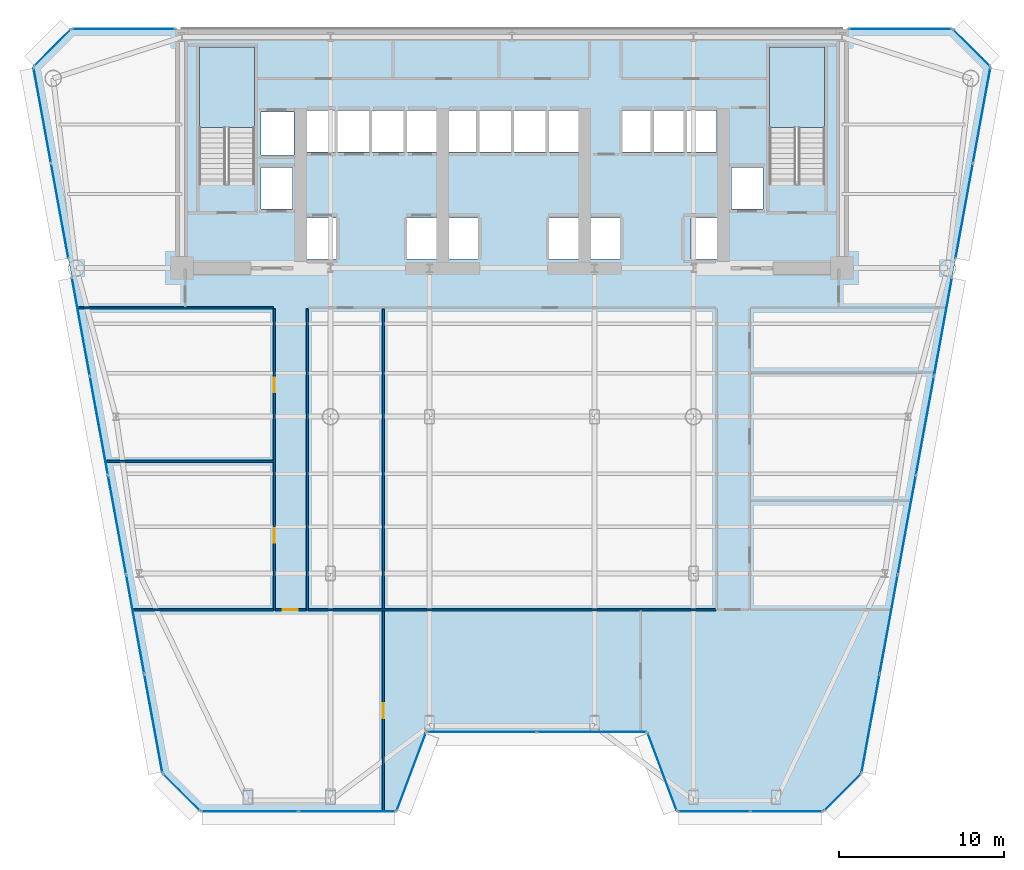
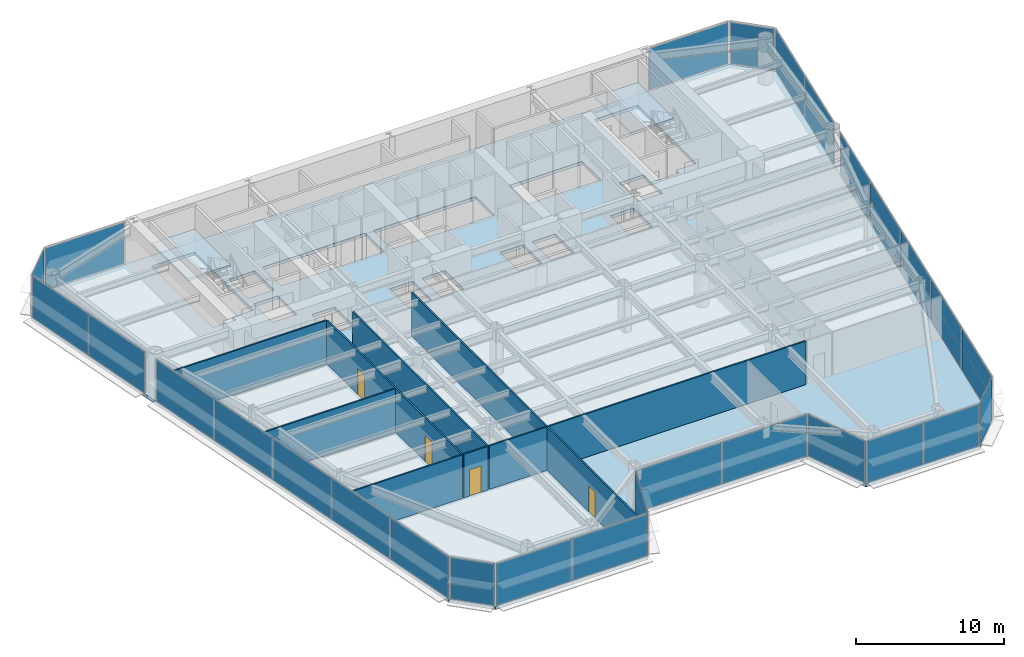
# One storey, part 7 of 14: 28 plates, 9 walls, 4 doors, 3 slabs, 4 openings, 17 elements without a shape of their own.
"""IFC4 building model written with IfcOpenShell, lengths in metres."""

from ifc_helpers import new_model, si_unit, direction, frame, frame_2d, origin, origin_2d, place, context, subcontext, project, spatial, polyline, rectangle, outline, extrude, source, transform, mapped, material, layer, layer_set, type_object, element, fill, aggregate, save


model = new_model("IFC4")

# Units and contexts
model_context = context("Model", 3, precision=1e-05, world=origin(), true_north=direction((0.0, 1.0)))
body_context = subcontext(model_context, "Body", "Model", "MODEL_VIEW")
ifc_project = project(units=[si_unit("LENGTHUNIT", "METRE"), si_unit("AREAUNIT", "SQUARE_METRE"), si_unit("VOLUMEUNIT", "CUBIC_METRE"), si_unit("PLANEANGLEUNIT", "RADIAN"), si_unit("MASSUNIT", "GRAM", prefix="KILO")], contexts=[model_context])

# Site, building, storey
site_placement = place(None, origin())
site = spatial("IfcSite", under=ifc_project, at=site_placement, CompositionType="ELEMENT")
building_placement = place(site_placement, origin())
building = spatial("IfcBuilding", under=site, at=building_placement, Name="Vaeldorn Concourse Tower", CompositionType="ELEMENT")
storey_placement = place(building_placement, frame((0.0, 0.0, 88.199951171875)))
storey = spatial("IfcBuildingStorey", under=building, at=storey_placement, Name="L22", CompositionType="ELEMENT", Elevation=88.199951171875)

# Stair, slab
ifc_material_1 = material(Name="Precast concrete C40/50", Category="concrete")
stair_type = type_object("IfcStairType", Name="STR-DOG-24x158", PredefinedType="HALF_TURN_STAIR", material=ifc_material_1)
stair_1_placement = place(storey_placement, origin())
stair_1 = element("IfcStair", 1, at=stair_1_placement, inside=storey, type_object=stair_type, Name="L22 West Core Exit Stair ST-1", PredefinedType="HALF_TURN_STAIR")
ifc_material_2 = material(Name="Concrete C40/50", Category="concrete")
ifc_layer_1 = layer(ifc_material_2, 0.199951171875)
ifc_layer_set_1 = layer_set([ifc_layer_1], Name="Concrete C40/50")
slab_type_1 = type_object("IfcSlabType", Name="SL-STAIR-LANDING", PredefinedType="LANDING", material=ifc_layer_set_1)
slab_1_placement = place(storey_placement, frame((0.0, 0.0, 1.699951171875)))
slab_1 = element("IfcSlab", 2, at=slab_1_placement, type_object=slab_type_1, Name="ST-1 landing 1", PredefinedType="LANDING", context=body_context, shape_type="SweptSolid", body=[
    extrude(outline(polyline([(18.39990234375, 45.010009765625), (18.39990234375, 49.89990234375), (15.050048828125, 49.89990234375), (15.050048828125, 45.010009765625), (18.39990234375, 45.010009765625)])), origin(), (0.0, 0.0, 1.0), 0.2001953125),
])
aggregate(stair_1, [slab_1])

stair_2_placement = place(storey_placement, origin())
stair_2 = element("IfcStair", 3, at=stair_2_placement, inside=storey, type_object=stair_type, Name="L22 East Core Exit Stair ST-2", PredefinedType="HALF_TURN_STAIR")
slab_2_placement = place(storey_placement, frame((0.0, 0.0, 1.699951171875)))
slab_2 = element("IfcSlab", 4, at=slab_2_placement, type_object=slab_type_1, Name="ST-2 landing 1", PredefinedType="LANDING", context=body_context, shape_type="SweptSolid", body=[
    extrude(outline(polyline([(52.949951171875, 45.010009765625), (52.949951171875, 49.89990234375), (49.60009765625, 49.89990234375), (49.60009765625, 45.010009765625), (52.949951171875, 45.010009765625)])), origin(), (0.0, 0.0, 1.0), 0.2001953125),
])
aggregate(stair_2, [slab_2])

# Slab
ifc_layer_2 = layer(ifc_material_2, 0.260009765625)
ifc_layer_set_2 = layer_set([ifc_layer_2], Name="Concrete C40/50")
slab_type_2 = type_object("IfcSlabType", Name="SL-TRN-260", PredefinedType="FLOOR", material=ifc_layer_set_2)
slab_3_placement = place(storey_placement, frame((0.0, 0.0, -0.260009765625)))
element("IfcSlab", 5, at=slab_3_placement, inside=storey, type_object=slab_type_2, Name="Structural Floor Slab L22", PredefinedType="FLOOR", context=body_context, shape_type="SweptSolid", body=[
    extrude(outline(polyline([(15.123291015625, 3.586181640625), (27.0, 3.586181640625), (28.800048828125, 8.385986328125), (42.199951171875, 8.385986328125), (44.0, 3.586181640625), (52.876708984375, 3.586181640625), (55.1767578125, 5.885986328125), (63.0, 48.699951171875), (60.699951171875, 51.0), (7.300048828125, 51.0), (5.0, 48.699951171875), (12.8232421875, 5.885986328125), (15.123291015625, 3.586181640625)]), holes=[polyline([(18.39990234375, 42.0), (18.39990234375, 49.89990234375), (15.050048828125, 49.89990234375), (15.050048828125, 41.60009765625), (16.800048828125, 41.60009765625), (16.800048828125, 42.0), (18.39990234375, 42.0)]), polyline([(52.949951171875, 42.0), (52.949951171875, 49.89990234375), (49.60009765625, 49.89990234375), (49.60009765625, 41.60009765625), (51.35009765625, 41.60009765625), (51.35009765625, 42.0), (52.949951171875, 42.0)]), polyline([(21.550048828125, 37.050048828125), (23.35009765625, 37.050048828125), (23.35009765625, 39.550048828125), (21.550048828125, 39.550048828125), (21.550048828125, 37.050048828125)]), polyline([(27.64990234375, 37.050048828125), (29.449951171875, 37.050048828125), (29.449951171875, 39.550048828125), (27.64990234375, 39.550048828125), (27.64990234375, 37.050048828125)]), polyline([(21.5, 43.550048828125), (29.5, 43.550048828125), (29.5, 46.050048828125), (21.5, 46.050048828125), (21.5, 43.550048828125)]), polyline([(30.14990234375, 37.050048828125), (31.949951171875, 37.050048828125), (31.949951171875, 39.550048828125), (30.14990234375, 39.550048828125), (30.14990234375, 37.050048828125)]), polyline([(36.25, 37.050048828125), (38.050048828125, 37.050048828125), (38.050048828125, 39.550048828125), (36.25, 39.550048828125), (36.25, 37.050048828125)]), polyline([(30.10009765625, 43.550048828125), (38.10009765625, 43.550048828125), (38.10009765625, 46.050048828125), (30.10009765625, 46.050048828125), (30.10009765625, 43.550048828125)]), polyline([(38.75, 37.050048828125), (40.550048828125, 37.050048828125), (40.550048828125, 39.550048828125), (38.75, 39.550048828125), (38.75, 37.050048828125)]), polyline([(44.85009765625, 37.050048828125), (46.64990234375, 37.050048828125), (46.64990234375, 39.550048828125), (44.85009765625, 39.550048828125), (44.85009765625, 37.050048828125)]), polyline([(40.699951171875, 43.550048828125), (46.39990234375, 43.550048828125), (46.39990234375, 46.050048828125), (40.699951171875, 46.050048828125), (40.699951171875, 43.550048828125)]), polyline([(18.800048828125, 43.35009765625), (20.800048828125, 43.35009765625), (20.800048828125, 45.949951171875), (18.800048828125, 45.949951171875), (18.800048828125, 43.35009765625)]), polyline([(18.800048828125, 40.10009765625), (20.699951171875, 40.10009765625), (20.699951171875, 42.60009765625), (18.800048828125, 42.60009765625), (18.800048828125, 40.10009765625)]), polyline([(47.300048828125, 40.10009765625), (49.199951171875, 40.10009765625), (49.199951171875, 42.60009765625), (47.300048828125, 42.60009765625), (47.300048828125, 40.10009765625)])]), origin(), (0.0, 0.0, 1.0), 0.260009765625),
])

# Curtain wall, plate
ifc_material_3 = material(Name="Anodised Bronze Aluminium", Category="aluminium")
ifc_layer_3 = layer(ifc_material_3, 0.199951171875)
ifc_layer_set_3 = layer_set([ifc_layer_3], Name="Anodised Bronze Aluminium")
curtain_wall_type = type_object("IfcCurtainWallType", Name="CW-SYS-02", PredefinedType="NOTDEFINED", material=ifc_layer_set_3)
curtain_wall_1_placement = place(storey_placement, origin())
curtain_wall_1 = element("IfcCurtainWall", 6, at=curtain_wall_1_placement, inside=storey, type_object=curtain_wall_type, Name="Unitised Curtain Wall CW-L22-E02-1", PredefinedType="NOTDEFINED")
ifc_material_4 = material(Name="Bronze Tinted Low-E Insulated Glass", Category="glass")
ifc_layer_4 = layer(ifc_material_4, 0.031982421875)
ifc_layer_set_4 = layer_set([ifc_layer_4], Name="Bronze Tinted Low-E Insulated Glass")
plate_type = type_object("IfcPlateType", Name="CWP-VISION-32", PredefinedType="CURTAIN_PANEL", material=ifc_layer_set_4)
shared_shape_1 = source(origin(), body_context, "Body", "SweptSolid", [
    extrude(rectangle(XDim=4.976318359375, YDim=0.031982421875, at=origin_2d()), origin(), (0.0, 0.0, 1.0), 3.429931640625),
])
plate_1_placement = place(storey_placement, frame((27.89990234375, 5.986083984375, 0.0751953125), z_axis=(0.0, 0.0, 1.0), x_axis=(0.351123441595, 0.936329177566, 0.0)))
plate_1 = element("IfcPlate", 7, at=plate_1_placement, type_object=plate_type, Name="CW-02 panel 1.1", PredefinedType="CURTAIN_PANEL", context=body_context, shape_type="MappedRepresentation", body=[
    mapped(shared_shape_1, transform((0.0, 0.0, 0.0), scale=1.0)),
])
aggregate(curtain_wall_1, [plate_1])

curtain_wall_2_placement = place(storey_placement, origin())
curtain_wall_2 = element("IfcCurtainWall", 8, at=curtain_wall_2_placement, inside=storey, type_object=curtain_wall_type, Name="Unitised Curtain Wall CW-L22-E04-1", PredefinedType="NOTDEFINED")
plate_2_placement = place(storey_placement, frame((43.10009765625, 5.986083984375, 0.0751953125), z_axis=(0.0, 0.0, 1.0), x_axis=(0.351123441595, -0.936329177566, 0.0)))
plate_2 = element("IfcPlate", 9, at=plate_2_placement, type_object=plate_type, Name="CW-02 panel 1.1", PredefinedType="CURTAIN_PANEL", context=body_context, shape_type="MappedRepresentation", body=[
    mapped(shared_shape_1, transform((0.0, 0.0, 0.0), scale=1.0)),
])
aggregate(curtain_wall_2, [plate_2])

# Curtain wall, plates
curtain_wall_3_placement = place(storey_placement, origin())
curtain_wall_3 = element("IfcCurtainWall", 10, at=curtain_wall_3_placement, inside=storey, type_object=curtain_wall_type, Name="Unitised Curtain Wall CW-L22-E03-1", PredefinedType="NOTDEFINED")
shared_shape_2 = source(origin(), body_context, "Body", "SweptSolid", [
    extrude(rectangle(XDim=6.58740234375, YDim=0.031982421875, at=origin_2d()), origin(), (0.0, 0.0, 1.0), 3.429931640625),
])
plate_3_placement = place(storey_placement, frame((32.168701171875, 8.385986328125, 0.0751953125), z_axis=(0.0, 0.0, 1.0), x_axis=(1.0, 0.0, 0.0)))
plate_3 = element("IfcPlate", 11, at=plate_3_placement, type_object=plate_type, Name="CW-02 panel 1.1", PredefinedType="CURTAIN_PANEL", context=body_context, shape_type="MappedRepresentation", body=[
    mapped(shared_shape_2, transform((0.0, 0.0, 0.0), scale=1.0)),
])
plate_4_placement = place(storey_placement, frame((38.831298828125, 8.385986328125, 0.0751953125), z_axis=(0.0, 0.0, 1.0), x_axis=(1.0, 0.0, 0.0)))
plate_4 = element("IfcPlate", 12, at=plate_4_placement, type_object=plate_type, Name="CW-02 panel 2.1", PredefinedType="CURTAIN_PANEL", context=body_context, shape_type="MappedRepresentation", body=[
    mapped(shared_shape_2, transform((0.0, 0.0, 0.0), scale=1.0)),
])
aggregate(curtain_wall_3, [plate_3, plate_4])

# Curtain wall, plate
curtain_wall_4_placement = place(storey_placement, origin())
curtain_wall_4 = element("IfcCurtainWall", 13, at=curtain_wall_4_placement, inside=storey, type_object=curtain_wall_type, Name="Unitised Curtain Wall CW-L22-E06-1", PredefinedType="NOTDEFINED")
shared_shape_3 = source(origin(), body_context, "Body", "SweptSolid", [
    extrude(rectangle(XDim=3.102783203125, YDim=0.031982421875, at=origin_2d()), origin(), (0.0, 0.0, 1.0), 3.429931640625),
])
plate_5_placement = place(storey_placement, frame((54.026611328125, 4.736083984375, 0.0751953125), z_axis=(0.0, 0.0, 1.0), x_axis=(0.707106781187, 0.707106781187, 0.0)))
plate_5 = element("IfcPlate", 14, at=plate_5_placement, type_object=plate_type, Name="CW-02 panel 1.1", PredefinedType="CURTAIN_PANEL", context=body_context, shape_type="MappedRepresentation", body=[
    mapped(shared_shape_3, transform((0.0, 0.0, 0.0), scale=1.0)),
])
aggregate(curtain_wall_4, [plate_5])

curtain_wall_5_placement = place(storey_placement, origin())
curtain_wall_5 = element("IfcCurtainWall", 15, at=curtain_wall_5_placement, inside=storey, type_object=curtain_wall_type, Name="Unitised Curtain Wall CW-L22-E08-1", PredefinedType="NOTDEFINED")
plate_6_placement = place(storey_placement, frame((61.85009765625, 49.85009765625, 0.0751953125), z_axis=(0.0, 0.0, 1.0), x_axis=(-0.707106781187, 0.707106781187, 0.0)))
plate_6 = element("IfcPlate", 16, at=plate_6_placement, type_object=plate_type, Name="CW-02 panel 1.1", PredefinedType="CURTAIN_PANEL", context=body_context, shape_type="MappedRepresentation", body=[
    mapped(shared_shape_3, transform((0.0, 0.0, 0.0), scale=1.0)),
])
aggregate(curtain_wall_5, [plate_6])

curtain_wall_6_placement = place(storey_placement, origin())
curtain_wall_6 = element("IfcCurtainWall", 17, at=curtain_wall_6_placement, inside=storey, type_object=curtain_wall_type, Name="Unitised Curtain Wall CW-L22-E10-1", PredefinedType="NOTDEFINED")
plate_7_placement = place(storey_placement, frame((6.14990234375, 49.85009765625, 0.0751953125), z_axis=(0.0, 0.0, 1.0), x_axis=(-0.707106781187, -0.707106781187, 0.0)))
plate_7 = element("IfcPlate", 18, at=plate_7_placement, type_object=plate_type, Name="CW-02 panel 1.1", PredefinedType="CURTAIN_PANEL", context=body_context, shape_type="MappedRepresentation", body=[
    mapped(shared_shape_3, transform((0.0, 0.0, 0.0), scale=1.0)),
])
aggregate(curtain_wall_6, [plate_7])

curtain_wall_7_placement = place(storey_placement, origin())
curtain_wall_7 = element("IfcCurtainWall", 19, at=curtain_wall_7_placement, inside=storey, type_object=curtain_wall_type, Name="Unitised Curtain Wall CW-L22-E12-1", PredefinedType="NOTDEFINED")
plate_8_placement = place(storey_placement, frame((13.973388671875, 4.736083984375, 0.0751953125), z_axis=(0.0, 0.0, 1.0), x_axis=(0.707106781187, -0.707106781187, 0.0)))
plate_8 = element("IfcPlate", 20, at=plate_8_placement, type_object=plate_type, Name="CW-02 panel 1.1", PredefinedType="CURTAIN_PANEL", context=body_context, shape_type="MappedRepresentation", body=[
    mapped(shared_shape_3, transform((0.0, 0.0, 0.0), scale=1.0)),
])
aggregate(curtain_wall_7, [plate_8])

# Curtain wall, plates
curtain_wall_8_placement = place(storey_placement, origin())
curtain_wall_8 = element("IfcCurtainWall", 21, at=curtain_wall_8_placement, inside=storey, type_object=curtain_wall_type, Name="Unitised Curtain Wall CW-L22-E01-1", PredefinedType="NOTDEFINED")
shared_shape_4 = source(origin(), body_context, "Body", "SweptSolid", [
    extrude(rectangle(XDim=5.825927734375, YDim=0.031982421875, at=origin_2d()), origin(), (0.0, 0.0, 1.0), 3.429931640625),
])
plate_9_placement = place(storey_placement, frame((18.111328125, 3.586181640625, 0.0751953125), z_axis=(0.0, 0.0, 1.0), x_axis=(1.0, 0.0, 0.0)))
plate_9 = element("IfcPlate", 22, at=plate_9_placement, type_object=plate_type, Name="CW-02 panel 1.1", PredefinedType="CURTAIN_PANEL", context=body_context, shape_type="MappedRepresentation", body=[
    mapped(shared_shape_4, transform((0.0, 0.0, 0.0), scale=1.0)),
])
plate_10_placement = place(storey_placement, frame((24.011962890625, 3.586181640625, 0.0751953125), z_axis=(0.0, 0.0, 1.0), x_axis=(1.0, 0.0, 0.0)))
plate_10 = element("IfcPlate", 23, at=plate_10_placement, type_object=plate_type, Name="CW-02 panel 2.1", PredefinedType="CURTAIN_PANEL", context=body_context, shape_type="MappedRepresentation", body=[
    mapped(shared_shape_4, transform((0.0, 0.0, 0.0), scale=1.0)),
])
aggregate(curtain_wall_8, [plate_9, plate_10])

curtain_wall_9_placement = place(storey_placement, origin())
curtain_wall_9 = element("IfcCurtainWall", 24, at=curtain_wall_9_placement, inside=storey, type_object=curtain_wall_type, Name="Unitised Curtain Wall CW-L22-E05-1", PredefinedType="NOTDEFINED")
shared_shape_5 = source(origin(), body_context, "Body", "SweptSolid", [
    extrude(rectangle(XDim=4.325927734375, YDim=0.031982421875, at=origin_2d()), origin(), (0.0, 0.0, 1.0), 3.429931640625),
])
plate_11_placement = place(storey_placement, frame((46.238037109375, 3.586181640625, 0.0751953125), z_axis=(0.0, 0.0, 1.0), x_axis=(1.0, 0.0, 0.0)))
plate_11 = element("IfcPlate", 25, at=plate_11_placement, type_object=plate_type, Name="CW-02 panel 1.1", PredefinedType="CURTAIN_PANEL", context=body_context, shape_type="MappedRepresentation", body=[
    mapped(shared_shape_5, transform((0.0, 0.0, 0.0), scale=1.0)),
])
plate_12_placement = place(storey_placement, frame((50.638671875, 3.586181640625, 0.0751953125), z_axis=(0.0, 0.0, 1.0), x_axis=(1.0, 0.0, 0.0)))
plate_12 = element("IfcPlate", 26, at=plate_12_placement, type_object=plate_type, Name="CW-02 panel 2.1", PredefinedType="CURTAIN_PANEL", context=body_context, shape_type="MappedRepresentation", body=[
    mapped(shared_shape_5, transform((0.0, 0.0, 0.0), scale=1.0)),
])
aggregate(curtain_wall_9, [plate_11, plate_12])

curtain_wall_10_placement = place(storey_placement, origin())
curtain_wall_10 = element("IfcCurtainWall", 27, at=curtain_wall_10_placement, inside=storey, type_object=curtain_wall_type, Name="Unitised Curtain Wall CW-L22-E07-1", PredefinedType="NOTDEFINED")
shared_shape_6 = source(origin(), body_context, "Body", "SweptSolid", [
    extrude(rectangle(XDim=6.00634765625, YDim=0.031982421875, at=origin_2d()), origin(), (0.0, 0.0, 1.0), 3.429931640625),
])
plate_13_placement = place(storey_placement, frame((55.72998046875, 8.9140625, 0.0751953125), z_axis=(0.0, 0.0, 1.0), x_axis=(0.179752878786, 0.983711798531, 0.0)))
plate_13 = element("IfcPlate", 28, at=plate_13_placement, type_object=plate_type, Name="CW-02 panel 1.1", PredefinedType="CURTAIN_PANEL", context=body_context, shape_type="MappedRepresentation", body=[
    mapped(shared_shape_6, transform((0.0, 0.0, 0.0), scale=1.0)),
])
plate_14_placement = place(storey_placement, frame((60.122802734375, 32.953857421875, 0.0751953125), z_axis=(0.0, 0.0, 1.0), x_axis=(0.179752878786, 0.983711798531, 0.0)))
plate_14 = element("IfcPlate", 29, at=plate_14_placement, type_object=plate_type, Name="CW-02 panel 5.1", PredefinedType="CURTAIN_PANEL", context=body_context, shape_type="MappedRepresentation", body=[
    mapped(shared_shape_6, transform((0.0, 0.0, 0.0), scale=1.0)),
])

curtain_wall_11_placement = place(storey_placement, origin())
curtain_wall_11 = element("IfcCurtainWall", 30, at=curtain_wall_11_placement, inside=storey, type_object=curtain_wall_type, Name="Unitised Curtain Wall CW-L22-E11-2", PredefinedType="NOTDEFINED")
plate_15_placement = place(storey_placement, frame((7.877197265625, 32.953857421875, 0.0751953125), z_axis=(0.0, 0.0, 1.0), x_axis=(0.179752878786, -0.983711798531, 0.0)))
plate_15 = element("IfcPlate", 31, at=plate_15_placement, type_object=plate_type, Name="CW-02 panel 1.1", PredefinedType="CURTAIN_PANEL", context=body_context, shape_type="MappedRepresentation", body=[
    mapped(shared_shape_6, transform((0.0, 0.0, 0.0), scale=1.0)),
])
plate_16_placement = place(storey_placement, frame((12.27001953125, 8.9140625, 0.0751953125), z_axis=(0.0, 0.0, 1.0), x_axis=(0.179752878786, -0.983711798531, 0.0)))
plate_16 = element("IfcPlate", 32, at=plate_16_placement, type_object=plate_type, Name="CW-02 panel 5.1", PredefinedType="CURTAIN_PANEL", context=body_context, shape_type="MappedRepresentation", body=[
    mapped(shared_shape_6, transform((0.0, 0.0, 0.0), scale=1.0)),
])

# Plate
shared_shape_7 = source(origin(), body_context, "Body", "SweptSolid", [
    extrude(rectangle(XDim=6.0439453125, YDim=0.031982421875, at=origin_2d()), origin(), (0.0, 0.0, 1.0), 3.429931640625),
])
plate_17_placement = place(storey_placement, frame((56.826416015625, 14.914794921875, 0.0751953125), z_axis=(0.0, 0.0, 1.0), x_axis=(0.179752878786, 0.983711798531, 0.0)))
plate_17 = element("IfcPlate", 33, at=plate_17_placement, type_object=plate_type, Name="CW-02 panel 2.1", PredefinedType="CURTAIN_PANEL", context=body_context, shape_type="MappedRepresentation", body=[
    mapped(shared_shape_7, transform((0.0, 0.0, 0.0), scale=1.0)),
])

plate_18_placement = place(storey_placement, frame((57.926513671875, 20.93408203125, 0.0751953125), z_axis=(0.0, 0.0, 1.0), x_axis=(0.179752878786, 0.983711798531, 0.0)))
plate_18 = element("IfcPlate", 34, at=plate_18_placement, type_object=plate_type, Name="CW-02 panel 3.1", PredefinedType="CURTAIN_PANEL", context=body_context, shape_type="MappedRepresentation", body=[
    mapped(shared_shape_7, transform((0.0, 0.0, 0.0), scale=1.0)),
])

plate_19_placement = place(storey_placement, frame((59.0263671875, 26.953125, 0.0751953125), z_axis=(0.0, 0.0, 1.0), x_axis=(0.179752878786, 0.983711798531, 0.0)))
plate_19 = element("IfcPlate", 35, at=plate_19_placement, type_object=plate_type, Name="CW-02 panel 4.1", PredefinedType="CURTAIN_PANEL", context=body_context, shape_type="MappedRepresentation", body=[
    mapped(shared_shape_7, transform((0.0, 0.0, 0.0), scale=1.0)),
])

aggregate(curtain_wall_10, [plate_13, plate_17, plate_18, plate_19, plate_14])

plate_20_placement = place(storey_placement, frame((8.9736328125, 26.953125, 0.0751953125), z_axis=(0.0, 0.0, 1.0), x_axis=(0.179752878786, -0.983711798531, 0.0)))
plate_20 = element("IfcPlate", 36, at=plate_20_placement, type_object=plate_type, Name="CW-02 panel 2.1", PredefinedType="CURTAIN_PANEL", context=body_context, shape_type="MappedRepresentation", body=[
    mapped(shared_shape_7, transform((0.0, 0.0, 0.0), scale=1.0)),
])

plate_21_placement = place(storey_placement, frame((10.073486328125, 20.93408203125, 0.0751953125), z_axis=(0.0, 0.0, 1.0), x_axis=(0.179752878786, -0.983711798531, 0.0)))
plate_21 = element("IfcPlate", 37, at=plate_21_placement, type_object=plate_type, Name="CW-02 panel 3.1", PredefinedType="CURTAIN_PANEL", context=body_context, shape_type="MappedRepresentation", body=[
    mapped(shared_shape_7, transform((0.0, 0.0, 0.0), scale=1.0)),
])

plate_22_placement = place(storey_placement, frame((11.173583984375, 14.914794921875, 0.0751953125), z_axis=(0.0, 0.0, 1.0), x_axis=(0.179752878786, -0.983711798531, 0.0)))
plate_22 = element("IfcPlate", 38, at=plate_22_placement, type_object=plate_type, Name="CW-02 panel 4.1", PredefinedType="CURTAIN_PANEL", context=body_context, shape_type="MappedRepresentation", body=[
    mapped(shared_shape_7, transform((0.0, 0.0, 0.0), scale=1.0)),
])

aggregate(curtain_wall_11, [plate_15, plate_20, plate_21, plate_22, plate_16])

# Curtain wall, plates
curtain_wall_12_placement = place(storey_placement, origin())
curtain_wall_12 = element("IfcCurtainWall", 39, at=curtain_wall_12_placement, inside=storey, type_object=curtain_wall_type, Name="Unitised Curtain Wall CW-L22-E07-2", PredefinedType="NOTDEFINED")
shared_shape_8 = source(origin(), body_context, "Body", "SweptSolid", [
    extrude(rectangle(XDim=5.8251953125, YDim=0.031982421875, at=origin_2d()), origin(), (0.0, 0.0, 1.0), 3.429931640625),
])
plate_23_placement = place(storey_placement, frame((61.40234375, 39.95703125, 0.0751953125), z_axis=(0.0, 0.0, 1.0), x_axis=(0.179749405906, 0.983712433121, 0.0)))
plate_23 = element("IfcPlate", 40, at=plate_23_placement, type_object=plate_type, Name="CW-02 panel 1.1", PredefinedType="CURTAIN_PANEL", context=body_context, shape_type="MappedRepresentation", body=[
    mapped(shared_shape_8, transform((0.0, 0.0, 0.0), scale=1.0)),
])
plate_24_placement = place(storey_placement, frame((62.462890625, 45.760986328125, 0.0751953125), z_axis=(0.0, 0.0, 1.0), x_axis=(0.179749405906, 0.983712433121, 0.0)))
plate_24 = element("IfcPlate", 41, at=plate_24_placement, type_object=plate_type, Name="CW-02 panel 2.1", PredefinedType="CURTAIN_PANEL", context=body_context, shape_type="MappedRepresentation", body=[
    mapped(shared_shape_8, transform((0.0, 0.0, 0.0), scale=1.0)),
])
aggregate(curtain_wall_12, [plate_23, plate_24])

curtain_wall_13_placement = place(storey_placement, origin())
curtain_wall_13 = element("IfcCurtainWall", 42, at=curtain_wall_13_placement, inside=storey, type_object=curtain_wall_type, Name="Unitised Curtain Wall CW-L22-E11-1", PredefinedType="NOTDEFINED")
plate_25_placement = place(storey_placement, frame((5.537109375, 45.760986328125, 0.0751953125), z_axis=(0.0, 0.0, 1.0), x_axis=(0.179749405906, -0.983712433121, 0.0)))
plate_25 = element("IfcPlate", 43, at=plate_25_placement, type_object=plate_type, Name="CW-02 panel 1.1", PredefinedType="CURTAIN_PANEL", context=body_context, shape_type="MappedRepresentation", body=[
    mapped(shared_shape_8, transform((0.0, 0.0, 0.0), scale=1.0)),
])
plate_26_placement = place(storey_placement, frame((6.59765625, 39.95703125, 0.0751953125), z_axis=(0.0, 0.0, 1.0), x_axis=(0.179749405906, -0.983712433121, 0.0)))
plate_26 = element("IfcPlate", 44, at=plate_26_placement, type_object=plate_type, Name="CW-02 panel 2.1", PredefinedType="CURTAIN_PANEL", context=body_context, shape_type="MappedRepresentation", body=[
    mapped(shared_shape_8, transform((0.0, 0.0, 0.0), scale=1.0)),
])
aggregate(curtain_wall_13, [plate_25, plate_26])

# Curtain wall, plate
curtain_wall_14_placement = place(storey_placement, origin())
curtain_wall_14 = element("IfcCurtainWall", 45, at=curtain_wall_14_placement, inside=storey, type_object=curtain_wall_type, Name="Unitised Curtain Wall CW-L22-E09-1", PredefinedType="NOTDEFINED")
shared_shape_9 = source(origin(), body_context, "Body", "SweptSolid", [
    extrude(rectangle(XDim=6.179931640625, YDim=0.031982421875, at=origin_2d()), origin(), (0.0, 0.0, 1.0), 3.429931640625),
])
plate_27_placement = place(storey_placement, frame((57.534912109375, 51.0, 0.0751953125), z_axis=(0.0, 0.0, 1.0), x_axis=(-1.0, 0.0, 0.0)))
plate_27 = element("IfcPlate", 46, at=plate_27_placement, type_object=plate_type, Name="CW-02 panel 1.1", PredefinedType="CURTAIN_PANEL", context=body_context, shape_type="MappedRepresentation", body=[
    mapped(shared_shape_9, transform((0.0, 0.0, 0.0), scale=1.0)),
])
aggregate(curtain_wall_14, [plate_27])

curtain_wall_15_placement = place(storey_placement, origin())
curtain_wall_15 = element("IfcCurtainWall", 47, at=curtain_wall_15_placement, inside=storey, type_object=curtain_wall_type, Name="Unitised Curtain Wall CW-L22-E09-2", PredefinedType="NOTDEFINED")
plate_28_placement = place(storey_placement, frame((10.465087890625, 51.0, 0.0751953125), z_axis=(0.0, 0.0, 1.0), x_axis=(-1.0, 0.0, 0.0)))
plate_28 = element("IfcPlate", 48, at=plate_28_placement, type_object=plate_type, Name="CW-02 panel 1.1", PredefinedType="CURTAIN_PANEL", context=body_context, shape_type="MappedRepresentation", body=[
    mapped(shared_shape_9, transform((0.0, 0.0, 0.0), scale=1.0)),
])
aggregate(curtain_wall_15, [plate_28])

# Wall
ifc_material_5 = material(Name="Gypsum Board Partition", Category="gypsum")
ifc_layer_5 = layer(ifc_material_5, 0.1201171875)
ifc_layer_set_5 = layer_set([ifc_layer_5], Name="Gypsum Board Partition")
wall_type = type_object("IfcWallType", Name="WL-PART-120", PredefinedType="PARTITIONING", material=ifc_layer_set_5)
wall_1_placement = place(storey_placement, frame((7.707763671875, 34.10009765625, 0.0), z_axis=(0.0, 0.0, 1.0), x_axis=(1.0, 0.0, 0.0)))
element("IfcWall", 49, at=wall_1_placement, inside=storey, type_object=wall_type, Name="Interior Wall PW-L22-CEWW", PredefinedType="PARTITIONING", context=body_context, shape_type="SweptSolid", body=[
    extrude(rectangle(XDim=11.832275390625, YDim=0.1201171875, at=frame_2d((5.916015625, 0.0))), origin(), (0.0, 0.0, 1.0), 3.580078125),
])

# Wall, openings, doors
wall_2_placement = place(storey_placement, frame((19.60009765625, 15.800048828125, 0.0), z_axis=(0.0, 0.0, 1.0), x_axis=(0.0, 1.0, 0.0)))
wall_2 = element("IfcWall", 50, at=wall_2_placement, inside=storey, type_object=wall_type, Name="Interior Wall PW-L22-CWW", PredefinedType="PARTITIONING", context=body_context, shape_type="SweptSolid", body=[
    extrude(rectangle(XDim=18.239990234375, YDim=0.1201171875, at=frame_2d((9.1201171875, 0.0))), origin(), (0.0, 0.0, 1.0), 3.580078125),
])
opening_1_placement = place(wall_2_placement, frame((4.050048828125, 0.0, 0.0)))
opening_1 = element("IfcOpeningElement", 51, at=opening_1_placement, cuts=wall_2, Name="Opening D-03", PredefinedType="OPENING", context=body_context, shape_type="SweptSolid", body=[
    extrude(rectangle(XDim=0.89990234375, YDim=2.14990234375, at=frame_2d((0.449951171875, 1.074951171875))), frame((0.0, 0.070068359375, 0.0), z_axis=(0.0, -1.0, 0.0), x_axis=(1.0, 0.0, 0.0)), (0.0, 0.0, 1.0), 0.14013671875),
])
opening_2_placement = place(wall_2_placement, frame((13.169921875, 0.0, 0.0)))
opening_2 = element("IfcOpeningElement", 52, at=opening_2_placement, cuts=wall_2, Name="Opening D-03", PredefinedType="OPENING", context=body_context, shape_type="SweptSolid", body=[
    extrude(rectangle(XDim=0.89990234375, YDim=2.14990234375, at=frame_2d((0.449951171875, 1.074951171875))), frame((0.0, 0.070068359375, 0.0), z_axis=(0.0, -1.0, 0.0), x_axis=(1.0, 0.0, 0.0)), (0.0, 0.0, 1.0), 0.14013671875),
])
ifc_material_6 = material(Name="Acoustic Bronze-Framed Glass Door", Category="glass")
door_type = type_object("IfcDoorType", Name="DR-INT-900", OperationType="NOTDEFINED", PredefinedType="DOOR", material=ifc_material_6)
shared_shape_10 = source(origin(), body_context, "Body", "SweptSolid", [
    extrude(rectangle(XDim=0.89990234375, YDim=2.14990234375, at=frame_2d((0.449951171875, 1.074951171875))), frame((0.0, 0.02490234375, 0.0), z_axis=(0.0, -1.0, 0.0), x_axis=(1.0, 0.0, 0.0)), (0.0, 0.0, 1.0), 0.050048828125),
])
door_1_placement = place(opening_1_placement, origin())
door_1 = element("IfcDoor", 53, at=door_1_placement, inside=storey, type_object=door_type, Name="Interior Door DR-L22-W1", OperationType="SINGLE_SWING_LEFT", OverallHeight=2.14990234375, OverallWidth=0.89990234375, PredefinedType="DOOR", context=body_context, shape_type="MappedRepresentation", body=[
    mapped(shared_shape_10, transform((0.0, 0.0, 0.0), scale=1.0)),
])
fill(opening_1, door_1)
door_2_placement = place(opening_2_placement, origin())
door_2 = element("IfcDoor", 54, at=door_2_placement, inside=storey, type_object=door_type, Name="Interior Door DR-L22-W2", OperationType="SINGLE_SWING_RIGHT", OverallHeight=2.14990234375, OverallWidth=0.89990234375, PredefinedType="DOOR", context=body_context, shape_type="MappedRepresentation", body=[
    mapped(shared_shape_10, transform((0.0, 0.0, 0.0), scale=1.0)),
])
fill(opening_2, door_2)

# Wall
wall_3_placement = place(storey_placement, frame((21.60009765625, 15.800048828125, 0.0), z_axis=(0.0, 0.0, 1.0), x_axis=(0.0, 1.0, 0.0)))
element("IfcWall", 55, at=wall_3_placement, inside=storey, type_object=wall_type, Name="Interior Wall PW-L22-CWE", PredefinedType="PARTITIONING", context=body_context, shape_type="SweptSolid", body=[
    extrude(rectangle(XDim=18.239990234375, YDim=0.1201171875, at=frame_2d((9.1201171875, 0.0))), origin(), (0.0, 0.0, 1.0), 3.580078125),
])

# Wall, opening, door
wall_4_placement = place(storey_placement, frame((19.659912109375, 15.800048828125, 0.0), z_axis=(0.0, 0.0, 1.0), x_axis=(1.0, 0.0, 0.0)))
wall_4 = element("IfcWall", 56, at=wall_4_placement, inside=storey, type_object=wall_type, Name="Interior Wall PW-L22-CWS", PredefinedType="PARTITIONING", context=body_context, shape_type="SweptSolid", body=[
    extrude(rectangle(XDim=1.880126953125, YDim=0.1201171875, at=frame_2d((0.93994140625, 0.0))), origin(), (0.0, 0.0, 1.0), 3.580078125),
])
opening_3_placement = place(wall_4_placement, frame((0.449951171875, 0.0, 0.0)))
opening_3 = element("IfcOpeningElement", 57, at=opening_3_placement, cuts=wall_4, Name="Opening D-03", PredefinedType="OPENING", context=body_context, shape_type="SweptSolid", body=[
    extrude(rectangle(XDim=0.89990234375, YDim=2.14990234375, at=frame_2d((0.449951171875, 1.074951171875))), frame((0.0, 0.070068359375, 0.0), z_axis=(0.0, -1.0, 0.0), x_axis=(1.0, 0.0, 0.0)), (0.0, 0.0, 1.0), 0.14013671875),
])
door_3_placement = place(opening_3_placement, origin())
door_3 = element("IfcDoor", 58, at=door_3_placement, inside=storey, type_object=door_type, Name="Interior Door DR-L22-SWL", OperationType="SINGLE_SWING_LEFT", OverallHeight=2.14990234375, OverallWidth=0.89990234375, PredefinedType="DOOR", context=body_context, shape_type="MappedRepresentation", body=[
    mapped(shared_shape_10, transform((0.0, 0.0, 0.0), scale=1.0)),
])
fill(opening_3, door_3)

# Walls
wall_5_placement = place(storey_placement, frame((11.0517578125, 15.800048828125, 0.0), z_axis=(0.0, 0.0, 1.0), x_axis=(1.0, 0.0, 0.0)))
element("IfcWall", 59, at=wall_5_placement, inside=storey, type_object=wall_type, Name="Interior Wall PW-L22-WY0", PredefinedType="PARTITIONING", context=body_context, shape_type="SweptSolid", body=[
    extrude(rectangle(XDim=8.48828125, YDim=0.1201171875, at=frame_2d((4.244140625, 0.0))), origin(), (0.0, 0.0, 1.0), 3.580078125),
])
wall_6_placement = place(storey_placement, frame((9.4072265625, 24.800048828125, 0.0), z_axis=(0.0, 0.0, 1.0), x_axis=(1.0, 0.0, 0.0)))
element("IfcWall", 60, at=wall_6_placement, inside=storey, type_object=wall_type, Name="Interior Wall PW-L22-WY1", PredefinedType="PARTITIONING", context=body_context, shape_type="SweptSolid", body=[
    extrude(rectangle(XDim=10.1328125, YDim=0.1201171875, at=frame_2d((5.06640625, 0.0))), origin(), (0.0, 0.0, 1.0), 3.580078125),
])
wall_7_placement = place(storey_placement, frame((21.659912109375, 15.800048828125, 0.0), z_axis=(0.0, 0.0, 1.0), x_axis=(1.0, 0.0, 0.0)))
element("IfcWall", 61, at=wall_7_placement, inside=storey, type_object=wall_type, Name="Interior Wall PW-L22-HUBS", PredefinedType="PARTITIONING", context=body_context, shape_type="SweptSolid", body=[
    extrude(rectangle(XDim=24.68017578125, YDim=0.1201171875, at=frame_2d((12.340087890625, 0.0))), origin(), (0.0, 0.0, 1.0), 3.580078125),
])
wall_8_placement = place(storey_placement, frame((26.199951171875, 15.860107421875, 0.0), z_axis=(0.0, 0.0, 1.0), x_axis=(0.0, 1.0, 0.0)))
element("IfcWall", 62, at=wall_8_placement, inside=storey, type_object=wall_type, Name="Interior Wall PW-L22-HX1", PredefinedType="PARTITIONING", context=body_context, shape_type="SweptSolid", body=[
    extrude(rectangle(XDim=18.179931640625, YDim=0.1201171875, at=frame_2d((9.08984375, 0.0))), origin(), (0.0, 0.0, 1.0), 3.580078125),
])

# Wall, opening, door
wall_9_placement = place(storey_placement, frame((26.199951171875, 3.626220703125, 0.0), z_axis=(0.0, 0.0, 1.0), x_axis=(0.0, 1.0, 0.0)))
wall_9 = element("IfcWall", 63, at=wall_9_placement, inside=storey, type_object=wall_type, Name="Interior Wall PW-L22-SMID1", PredefinedType="PARTITIONING", context=body_context, shape_type="SweptSolid", body=[
    extrude(rectangle(XDim=12.11376953125, YDim=0.1201171875, at=frame_2d((6.056884765625, 0.0))), origin(), (0.0, 0.0, 1.0), 3.580078125),
])
opening_4_placement = place(wall_9_placement, frame((5.60693359375, 0.0, 0.0)))
opening_4 = element("IfcOpeningElement", 64, at=opening_4_placement, cuts=wall_9, Name="Opening D-03", PredefinedType="OPENING", context=body_context, shape_type="SweptSolid", body=[
    extrude(rectangle(XDim=0.89990234375, YDim=2.14990234375, at=frame_2d((0.449951171875, 1.074951171875))), frame((0.0, 0.070068359375, 0.0), z_axis=(0.0, -1.0, 0.0), x_axis=(1.0, 0.0, 0.0)), (0.0, 0.0, 1.0), 0.14013671875),
])
door_4_placement = place(opening_4_placement, origin())
door_4 = element("IfcDoor", 65, at=door_4_placement, inside=storey, type_object=door_type, Name="Interior Door DR-L22-SMID1", OperationType="SINGLE_SWING_RIGHT", OverallHeight=2.14990234375, OverallWidth=0.89990234375, PredefinedType="DOOR", context=body_context, shape_type="MappedRepresentation", body=[
    mapped(shared_shape_10, transform((0.0, 0.0, 0.0), scale=1.0)),
])
fill(opening_4, door_4)

save(model, "model.ifc")
